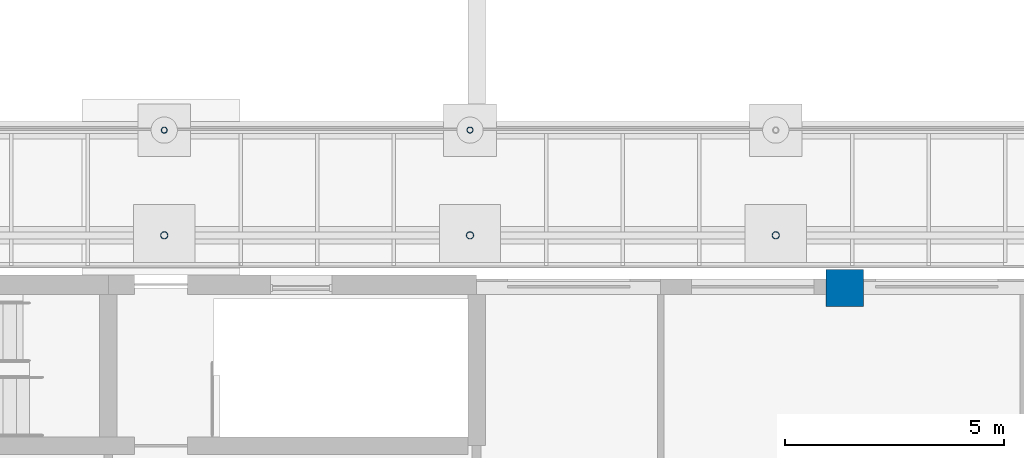
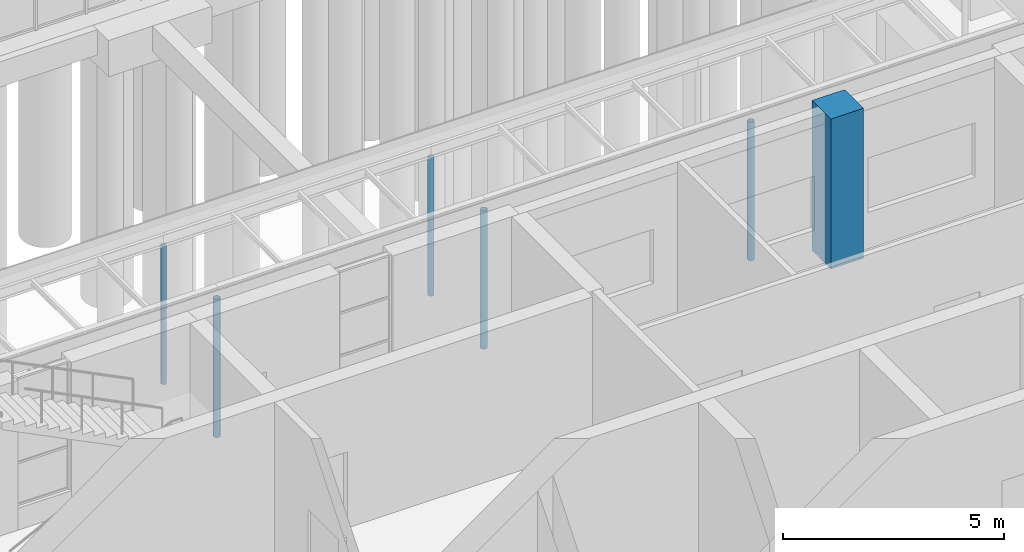
# One storey, part 19 of 138: 6 columns.
"""IFC4 building model written with IfcOpenShell, lengths in metres."""

from ifc_helpers import new_model, si_unit, direction, frame, origin, origin_2d, place, context, subcontext, project, spatial, rectangle, hollow_circle, extrude, material, material_profile, profile_set, type_object, element, save


model = new_model("IFC4")

# Units and contexts
model_context = context("Model", 3, precision=1e-05, world=origin(), true_north=direction((0.0, 1.0)))
body_context = subcontext(model_context, "Body", "Model", "MODEL_VIEW")
ifc_project = project(units=[si_unit("LENGTHUNIT", "METRE"), si_unit("AREAUNIT", "SQUARE_METRE"), si_unit("VOLUMEUNIT", "CUBIC_METRE"), si_unit("PLANEANGLEUNIT", "RADIAN"), si_unit("MASSUNIT", "GRAM", prefix="KILO")], contexts=[model_context])

# Site, building, storey
site_placement = place(None, origin())
site = spatial("IfcSite", under=ifc_project, at=site_placement, CompositionType="ELEMENT")
building_placement = place(site_placement, origin())
building = spatial("IfcBuilding", under=site, at=building_placement, Name="Yavir Park General Hospital", CompositionType="ELEMENT")
storey_placement = place(building_placement, origin())
storey = spatial("IfcBuildingStorey", under=building, at=storey_placement, Name="L00", CompositionType="ELEMENT", Elevation=0.0)

# Columns
ifc_material_1 = material(Name="Steel S355", Category="steel")
ifc_material_profile_1 = material_profile(ifc_material_1, hollow_circle(Radius=0.06982421875, WallThickness=0.008056640625, at=origin_2d()), Name="CHS139.7x8")
ifc_profile_set_1 = profile_set([ifc_material_profile_1], Name="Steel S355")
column_type_1 = type_object("IfcColumnType", Name="CHS 139.7x8 outer column", PredefinedType="COLUMN", material=ifc_profile_set_1)
for number, where, z_axis, x_axis, name in (
    (1, (118.875, 37.199951171875, -0.300048828125), (0.0, 0.0, 1.0), (1.0, 0.0, 0.0), "C:ARC2:11"),
    (2, (125.85009765625, 37.199951171875, -0.300048828125), (0.0, 0.0, 1.0), (1.0, 0.0, 0.0), "C:ARC2:12"),
):
    element("IfcColumn", number, at=place(storey_placement, frame(where, z_axis=z_axis, x_axis=x_axis)), inside=storey, type_object=column_type_1, Name=name, PredefinedType="COLUMN", context=body_context, shape_type="SweptSolid", body=[
        extrude(hollow_circle(Radius=0.06982421875, WallThickness=0.008056640625, at=origin_2d()), origin(), (0.0, 0.0, 1.0), 3.820068359375),
    ])
ifc_material_2 = material(Name="Steel S355", Category="steel")
ifc_material_profile_2 = material_profile(ifc_material_2, hollow_circle(Radius=0.084228515625, WallThickness=0.008056640625, at=origin_2d()), Name="CHS168.3x8")
ifc_profile_set_2 = profile_set([ifc_material_profile_2], Name="Steel S355")
column_type_2 = type_object("IfcColumnType", Name="CHS 168.3x8 column", PredefinedType="COLUMN", material=ifc_profile_set_2)
for number, where, z_axis, x_axis, name in (
    (3, (118.875, 34.800048828125, -0.300048828125), (0.0, 0.0, 1.0), (1.0, 0.0, 0.0), "C:ARC2:01"),
    (4, (125.85009765625, 34.800048828125, -0.300048828125), (0.0, 0.0, 1.0), (1.0, 0.0, 0.0), "C:ARC2:02"),
    (5, (132.824951171875, 34.800048828125, -0.300048828125), (0.0, 0.0, 1.0), (1.0, 0.0, 0.0), "C:ARC2:03"),
):
    element("IfcColumn", number, at=place(storey_placement, frame(where, z_axis=z_axis, x_axis=x_axis)), inside=storey, type_object=column_type_2, Name=name, PredefinedType="COLUMN", context=body_context, shape_type="SweptSolid", body=[
        extrude(hollow_circle(Radius=0.084228515625, WallThickness=0.008056640625, at=origin_2d()), origin(), (0.0, 0.0, 1.0), 3.820068359375),
    ])
ifc_material_3 = material(Name="Concrete C40/50", Category="concrete")
ifc_material_profile_3 = material_profile(ifc_material_3, rectangle(XDim=0.85009765625, YDim=0.85009765625, at=origin_2d()), Name="RC850x850")
ifc_profile_set_3 = profile_set([ifc_material_profile_3], Name="Concrete C40/50")
column_type_3 = type_object("IfcColumnType", Name="RC COLUMN 850x850", PredefinedType="COLUMN", material=ifc_profile_set_3)
column_placement = place(storey_placement, frame((134.39990234375, 33.60009765625, 0.0), z_axis=(0.0, 0.0, 1.0), x_axis=(1.0, 0.0, 0.0)))
element("IfcColumn", 6, at=column_placement, inside=storey, type_object=column_type_3, Name="C:L00:17E", PredefinedType="COLUMN", context=body_context, shape_type="SweptSolid", body=[
    extrude(rectangle(XDim=0.85009765625, YDim=0.85009765625, at=origin_2d()), origin(), (0.0, 0.0, 1.0), 4.139892578125),
])

save(model, "model.ifc")
